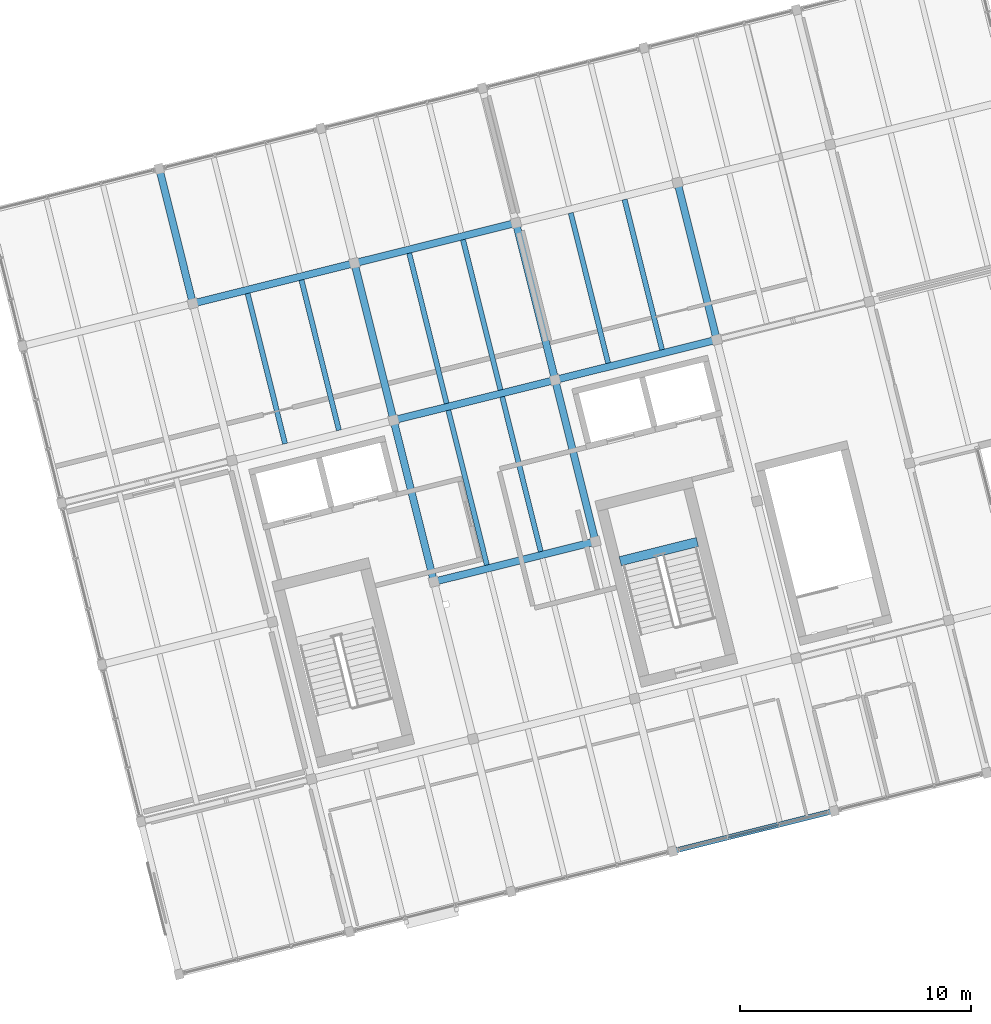
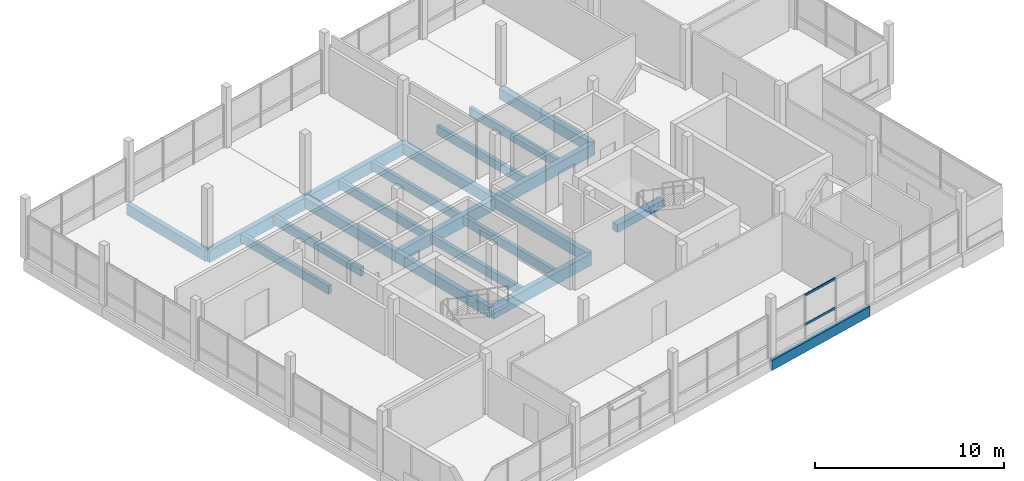
# One storey, part 10 of 28: 21 beams, 2 members, 1 element without a shape of its own.
"""IFC4 building model written with IfcOpenShell, lengths in metres."""

from ifc_helpers import new_model, si_unit, direction, frame, origin, origin_2d, place, context, subcontext, project, spatial, rectangle, hollow_rectangle, extrude, material, layer, layer_set, material_profile, profile_set, type_object, element, aggregate, save


model = new_model("IFC4")

# Units and contexts
model_context = context("Model", 3, precision=1e-05, world=origin(), true_north=direction((0.0, 1.0)))
body_context = subcontext(model_context, "Body", "Model", "MODEL_VIEW")
ifc_project = project(units=[si_unit("LENGTHUNIT", "METRE"), si_unit("AREAUNIT", "SQUARE_METRE"), si_unit("VOLUMEUNIT", "CUBIC_METRE"), si_unit("PLANEANGLEUNIT", "RADIAN"), si_unit("MASSUNIT", "GRAM", prefix="KILO")], contexts=[model_context])

# Site, building, storey
site_placement = place(None, origin())
site = spatial("IfcSite", under=ifc_project, at=site_placement, CompositionType="ELEMENT")
building_placement = place(site_placement, origin())
building = spatial("IfcBuilding", under=site, at=building_placement, Name="Meriwether Solvik Hall", CompositionType="ELEMENT")
storey_placement = place(building_placement, frame((0.0, 0.0, 30.0)))
storey = spatial("IfcBuildingStorey", under=building, at=storey_placement, Name="L07", CompositionType="ELEMENT", Elevation=30.0)

# Beams
ifc_material_1 = material(Name="Glulam Douglas-Fir 24F-V8 GL28h", Category="wood")
ifc_material_profile_1 = material_profile(ifc_material_1, rectangle(XDim=0.221923828125, YDim=0.64501953125, at=origin_2d()), Name="GLB-222X645")
ifc_profile_set_1 = profile_set([ifc_material_profile_1], Name="Glulam Douglas-Fir 24F-V8 GL28h")
beam_type_1 = type_object("IfcBeamType", Name="BM-GL-222X645", PredefinedType="SPANDREL", material=ifc_profile_set_1)
beam_1_placement = place(storey_placement, frame((89.946533203125, 46.522216796875, -0.54248046875), z_axis=(0.970291911955, 0.241937193493, 0.0), x_axis=(-0.241937193493, 0.970291911955, 0.0)))
element("IfcBeam", 1, at=beam_1_placement, inside=storey, type_object=beam_type_1, Name="Tower Girder TA:T4-T5 (L07)", PredefinedType="SPANDREL", context=body_context, shape_type="SweptSolid", body=[
    extrude(rectangle(XDim=0.221923828125, YDim=0.64501953125, at=origin_2d()), origin(), (0.0, 0.0, 1.0), 7.199951171875),
])
ifc_material_2 = material(Name="Glulam Douglas-Fir 24F-V8 GL28h", Category="wood")
ifc_material_profile_2 = material_profile(ifc_material_2, rectangle(XDim=0.31494140625, YDim=0.68505859375, at=origin_2d()), Name="GLB-315X685")
ifc_profile_set_2 = profile_set([ifc_material_profile_2], Name="Glulam Douglas-Fir 24F-V8 GL28h")
beam_type_2 = type_object("IfcBeamType", Name="BM-GL-315X685", PredefinedType="BEAM", material=ifc_profile_set_2)
beam_2_placement = place(storey_placement, frame((69.200439453125, 70.206787109375, -0.5625), z_axis=(-0.241903677572, 0.970300268359, 0.0), x_axis=(-0.970300268359, -0.241903677572, 0.0)))
element("IfcBeam", 2, at=beam_2_placement, inside=storey, type_object=beam_type_2, Name="Tower Girder T2:TE-TF (L07)", PredefinedType="BEAM", context=body_context, shape_type="SweptSolid", body=[
    extrude(rectangle(XDim=0.31494140625, YDim=0.68505859375, at=origin_2d()), origin(), (0.0, 0.0, 1.0), 6.0),
])
beam_3_placement = place(storey_placement, frame((79.621826171875, 58.17041015625, -0.5625), z_axis=(-0.241897310542, 0.970301855688, 0.0), x_axis=(-0.970301855688, -0.241897310542, 0.0)))
element("IfcBeam", 3, at=beam_3_placement, inside=storey, type_object=beam_type_2, Name="Tower Girder T3:TC-TD (L07)", PredefinedType="BEAM", context=body_context, shape_type="SweptSolid", body=[
    extrude(rectangle(XDim=0.31494140625, YDim=0.68505859375, at=origin_2d()), origin(), (0.0, 0.0, 1.0), 7.2001953125),
])
beam_4_placement = place(storey_placement, frame((77.880126953125, 65.15673828125, -0.5625), z_axis=(-0.241944715397, 0.970290036376, 0.0), x_axis=(-0.970290036376, -0.241944715397, 0.0)))
element("IfcBeam", 4, at=beam_4_placement, inside=storey, type_object=beam_type_2, Name="Tower Girder T3:TD-TE (L07)", PredefinedType="BEAM", context=body_context, shape_type="SweptSolid", body=[
    extrude(rectangle(XDim=0.31494140625, YDim=0.68505859375, at=origin_2d()), origin(), (0.0, 0.0, 1.0), 7.0),
])
beam_5_placement = place(storey_placement, frame((86.60791015625, 59.912353515625, -0.5625), z_axis=(-0.241905269381, 0.970299871507, 0.0), x_axis=(-0.970299871507, -0.241905269381, 0.0)))
element("IfcBeam", 5, at=beam_5_placement, inside=storey, type_object=beam_type_2, Name="Tower Girder T4:TC-TD (L07)", PredefinedType="BEAM", context=body_context, shape_type="SweptSolid", body=[
    extrude(rectangle(XDim=0.31494140625, YDim=0.68505859375, at=origin_2d()), origin(), (0.0, 0.0, 1.0), 7.199951171875),
])
beam_6_placement = place(storey_placement, frame((84.8662109375, 66.8984375, -0.5625), z_axis=(-0.241936527961, 0.970292077901, 0.0), x_axis=(-0.970292077901, -0.241936527961, 0.0)))
element("IfcBeam", 6, at=beam_6_placement, inside=storey, type_object=beam_type_2, Name="Tower Girder T4:TD-TE (L07)", PredefinedType="BEAM", context=body_context, shape_type="SweptSolid", body=[
    extrude(rectangle(XDim=0.31494140625, YDim=0.68505859375, at=origin_2d()), origin(), (0.0, 0.0, 1.0), 7.000244140625),
])
beam_7_placement = place(storey_placement, frame((91.852294921875, 68.640380859375, -0.5625), z_axis=(-0.241911879182, 0.970298223594, 0.0), x_axis=(-0.970298223594, -0.241911879182, 0.0)))
element("IfcBeam", 7, at=beam_7_placement, inside=storey, type_object=beam_type_2, Name="Tower Girder T5:TD-TE (L07)", PredefinedType="BEAM", context=body_context, shape_type="SweptSolid", body=[
    extrude(rectangle(XDim=0.31494140625, YDim=0.68505859375, at=origin_2d()), origin(), (0.0, 0.0, 1.0), 7.0),
])
ifc_material_3 = material(Name="Glulam Douglas-Fir 24F-V8 GL28h", Category="wood")
ifc_material_profile_3 = material_profile(ifc_material_3, rectangle(XDim=0.31494140625, YDim=0.760009765625, at=origin_2d()), Name="GLB-315X760")
ifc_profile_set_3 = profile_set([ifc_material_profile_3], Name="Glulam Douglas-Fir 24F-V8 GL28h")
beam_type_3 = type_object("IfcBeamType", Name="BM-GL-315X760", PredefinedType="BEAM", material=ifc_profile_set_3)
for number, where, z_axis, x_axis, name in (
    (8, (79.621826171875, 58.17041015625, -0.60009765625), (0.970291911955, 0.241937193493, 0.0), (-0.241937193493, 0.970291911955, 0.0), "Tower Girder TC:T3-T4 (L07)"),
    (9, (77.880126953125, 65.15673828125, -0.60009765625), (0.970299871507, 0.241905269381, 0.0), (-0.241905269381, 0.970299871507, 0.0), "Tower Girder TD:T3-T4 (L07)"),
    (10, (84.8662109375, 66.8984375, -0.60009765625), (0.970291911955, 0.241937193493, 0.0), (-0.241937193493, 0.970291911955, 0.0), "Tower Girder TD:T4-T5 (L07)"),
    (11, (69.200439453125, 70.206787109375, -0.60009765625), (0.970291911955, 0.241937193493, 0.0), (-0.241937193493, 0.970291911955, 0.0), "Tower Girder TE:T2-T3 (L07)"),
    (12, (76.1865234375, 71.94873046875, -0.60009765625), (0.970291911955, 0.241937193493, 0.0), (-0.241937193493, 0.970291911955, 0.0), "Tower Girder TE:T3-T4 (L07)"),
):
    element("IfcBeam", number, at=place(storey_placement, frame(where, z_axis=z_axis, x_axis=x_axis)), inside=storey, type_object=beam_type_3, Name=name, PredefinedType="BEAM", context=body_context, shape_type="SweptSolid", body=[
        extrude(rectangle(XDim=0.31494140625, YDim=0.760009765625, at=origin_2d()), origin(), (0.0, 0.0, 1.0), 7.199951171875),
    ])
ifc_material_4 = material(Name="Concrete C40/50", Category="concrete")
ifc_material_profile_4 = material_profile(ifc_material_4, rectangle(XDim=0.39990234375, YDim=0.47998046875, at=origin_2d()), Name="RCB-400X480")
ifc_profile_set_4 = profile_set([ifc_material_profile_4], Name="Concrete C40/50")
beam_type_4 = type_object("IfcBeamType", Name="BM-LND-RC-400X480", PredefinedType="BEAM", material=ifc_profile_set_4)
beam_8_placement = place(storey_placement, frame((87.67578125, 59.060302734375, 1.510009765625), z_axis=(0.970292601873, 0.24193442655, 0.0), x_axis=(-0.24193442655, 0.970292601873, 0.0)))
element("IfcBeam", 13, at=beam_8_placement, inside=storey, type_object=beam_type_4, Name="Stair ST-02 Half-Landing Header Beam (L07)", PredefinedType="BEAM", context=body_context, shape_type="SweptSolid", body=[
    extrude(rectangle(XDim=0.39990234375, YDim=0.47998046875, at=origin_2d()), origin(), (0.0, 0.0, 1.0), 3.440185546875),
])

# Curtain wall, members
ifc_material_5 = material(Name="Thermally Broken Anodised Aluminium 6063-T6 and Low-E Glass", Category="aluminium")
ifc_layer = layer(ifc_material_5, 0.179931640625)
ifc_layer_set = layer_set([ifc_layer], Name="Thermally Broken Anodised Aluminium 6063-T6 and Low-E Glass")
curtain_wall_type = type_object("IfcCurtainWallType", Name="CW-UNIT-A", PredefinedType="USERDEFINED", material=ifc_layer_set)
curtain_wall_placement = place(storey_placement, origin())
curtain_wall = element("IfcCurtainWall", 14, at=curtain_wall_placement, inside=storey, type_object=curtain_wall_type, Name="Curtain Wall E0_B3 (L07)", ObjectType="UNITISED CURTAIN WALL", PredefinedType="USERDEFINED")
ifc_material_6 = material(Name="Anodised Aluminium 6063-T6", Category="aluminium")
ifc_material_profile_5 = material_profile(ifc_material_6, hollow_rectangle(XDim=0.06494140625, YDim=0.139892578125, WallThickness=0.00439453125, at=origin_2d()), Name="CWT-65X140")
ifc_profile_set_5 = profile_set([ifc_material_profile_5], Name="Anodised Aluminium 6063-T6")
member_type = type_object("IfcMemberType", Name="CW-TRN-65X140", PredefinedType="USERDEFINED", material=ifc_profile_set_5)
member_1_placement = place(storey_placement, frame((94.5322265625, 47.66552734375, 0.8369140625), z_axis=(-0.970314425033, -0.241846886633, 0.0), x_axis=(0.241846886633, -0.970314425033, 0.0)))
member_1 = element("IfcMember", 15, at=member_1_placement, type_object=member_type, Name="Curtain Wall Transom 2-sill", ObjectType="TRANSOM", PredefinedType="USERDEFINED", context=body_context, shape_type="SweptSolid", body=[
    extrude(hollow_rectangle(XDim=0.06494140625, YDim=0.139892578125, WallThickness=0.00439453125, at=origin_2d()), origin(), (0.0, 0.0, 1.0), 2.252197265625),
])
member_2_placement = place(storey_placement, frame((94.5322265625, 47.66552734375, 2.72998046875), z_axis=(-0.970314425033, -0.241846886633, 0.0), x_axis=(0.241846886633, -0.970314425033, 0.0)))
member_2 = element("IfcMember", 16, at=member_2_placement, type_object=member_type, Name="Curtain Wall Transom 2-head", ObjectType="TRANSOM", PredefinedType="USERDEFINED", context=body_context, shape_type="SweptSolid", body=[
    extrude(hollow_rectangle(XDim=0.06494140625, YDim=0.139892578125, WallThickness=0.00439453125, at=origin_2d()), origin(), (0.0, 0.0, 1.0), 2.252197265625),
])
aggregate(curtain_wall, [member_1, member_2])

# Beams
ifc_material_7 = material(Name="Glulam Douglas-Fir 24F-V8 GL28h", Category="wood")
ifc_material_profile_6 = material_profile(ifc_material_7, rectangle(XDim=0.221923828125, YDim=0.570068359375, at=origin_2d()), Name="GLJ-222X570")
ifc_profile_set_6 = profile_set([ifc_material_profile_6], Name="Glulam Douglas-Fir 24F-V8 GL28h")
beam_type_5 = type_object("IfcBeamType", Name="JST-GL-222X570", PredefinedType="JOIST", material=ifc_profile_set_6)
beam_9_placement = place(storey_placement, frame((73.185791015625, 64.143310546875, -0.5048828125), z_axis=(-0.241943564064, 0.970290323464, 0.0), x_axis=(-0.970290323464, -0.241943564064, 0.0)))
element("IfcBeam", 17, at=beam_9_placement, inside=storey, type_object=beam_type_5, Name="Glulam Floor Joist T2/TD-J1 (L07)", PredefinedType="JOIST", context=body_context, shape_type="SweptSolid", body=[
    extrude(rectangle(XDim=0.221923828125, YDim=0.570068359375, at=origin_2d()), origin(), (0.0, 0.0, 1.0), 6.6953125),
])
beam_10_placement = place(storey_placement, frame((75.514404296875, 64.72412109375, -0.5048828125), z_axis=(-0.241917792922, 0.970296749179, 0.0), x_axis=(-0.970296749179, -0.241917792922, 0.0)))
element("IfcBeam", 18, at=beam_10_placement, inside=storey, type_object=beam_type_5, Name="Glulam Floor Joist T2/TD-J2 (L07)", PredefinedType="JOIST", context=body_context, shape_type="SweptSolid", body=[
    extrude(rectangle(XDim=0.221923828125, YDim=0.570068359375, at=origin_2d()), origin(), (0.0, 0.0, 1.0), 6.695068359375),
])
for number, where, z_axis, x_axis, name in (
    (19, (81.91357421875, 58.899169921875, -0.5048828125), (-0.241910719241, 0.970298512787, 0.0), (-0.970298512787, -0.241910719241, 0.0), "Glulam Floor Joist T3/TC-J1 (L07)"),
    (20, (84.242431640625, 59.479736328125, -0.5048828125), (-0.241944055158, 0.970290201009, 0.0), (-0.970290201009, -0.241944055158, 0.0), "Glulam Floor Joist T3/TC-J2 (L07)"),
):
    element("IfcBeam", number, at=place(storey_placement, frame(where, z_axis=z_axis, x_axis=x_axis)), inside=storey, type_object=beam_type_5, Name=name, PredefinedType="JOIST", context=body_context, shape_type="SweptSolid", body=[
        extrude(rectangle(XDim=0.221923828125, YDim=0.570068359375, at=origin_2d()), origin(), (0.0, 0.0, 1.0), 6.89501953125),
    ])
for number, where, z_axis, x_axis, name in (
    (21, (80.171875, 65.88525390625, -0.5048828125), (-0.241917792922, 0.970296749179, 0.0), (-0.970296749179, -0.241917792922, 0.0), "Glulam Floor Joist T3/TD-J1 (L07)"),
    (22, (82.50048828125, 66.4658203125, -0.5048828125), (-0.241917792922, 0.970296749179, 0.0), (-0.970296749179, -0.241917792922, 0.0), "Glulam Floor Joist T3/TD-J2 (L07)"),
):
    element("IfcBeam", number, at=place(storey_placement, frame(where, z_axis=z_axis, x_axis=x_axis)), inside=storey, type_object=beam_type_5, Name=name, PredefinedType="JOIST", context=body_context, shape_type="SweptSolid", body=[
        extrude(rectangle(XDim=0.221923828125, YDim=0.570068359375, at=origin_2d()), origin(), (0.0, 0.0, 1.0), 6.695068359375),
    ])
beam_11_placement = place(storey_placement, frame((87.157958984375, 67.626953125, -0.5048828125), z_axis=(-0.241909233393, 0.970298883231, 0.0), x_axis=(-0.970298883231, -0.241909233393, 0.0)))
element("IfcBeam", 23, at=beam_11_placement, inside=storey, type_object=beam_type_5, Name="Glulam Floor Joist T4/TD-J1 (L07)", PredefinedType="JOIST", context=body_context, shape_type="SweptSolid", body=[
    extrude(rectangle(XDim=0.221923828125, YDim=0.570068359375, at=origin_2d()), origin(), (0.0, 0.0, 1.0), 6.6953125),
])
beam_12_placement = place(storey_placement, frame((89.486572265625, 68.207763671875, -0.5048828125), z_axis=(-0.241917792922, 0.970296749179, 0.0), x_axis=(-0.970296749179, -0.241917792922, 0.0)))
element("IfcBeam", 24, at=beam_12_placement, inside=storey, type_object=beam_type_5, Name="Glulam Floor Joist T4/TD-J2 (L07)", PredefinedType="JOIST", context=body_context, shape_type="SweptSolid", body=[
    extrude(rectangle(XDim=0.221923828125, YDim=0.570068359375, at=origin_2d()), origin(), (0.0, 0.0, 1.0), 6.695068359375),
])

save(model, "model.ifc")
